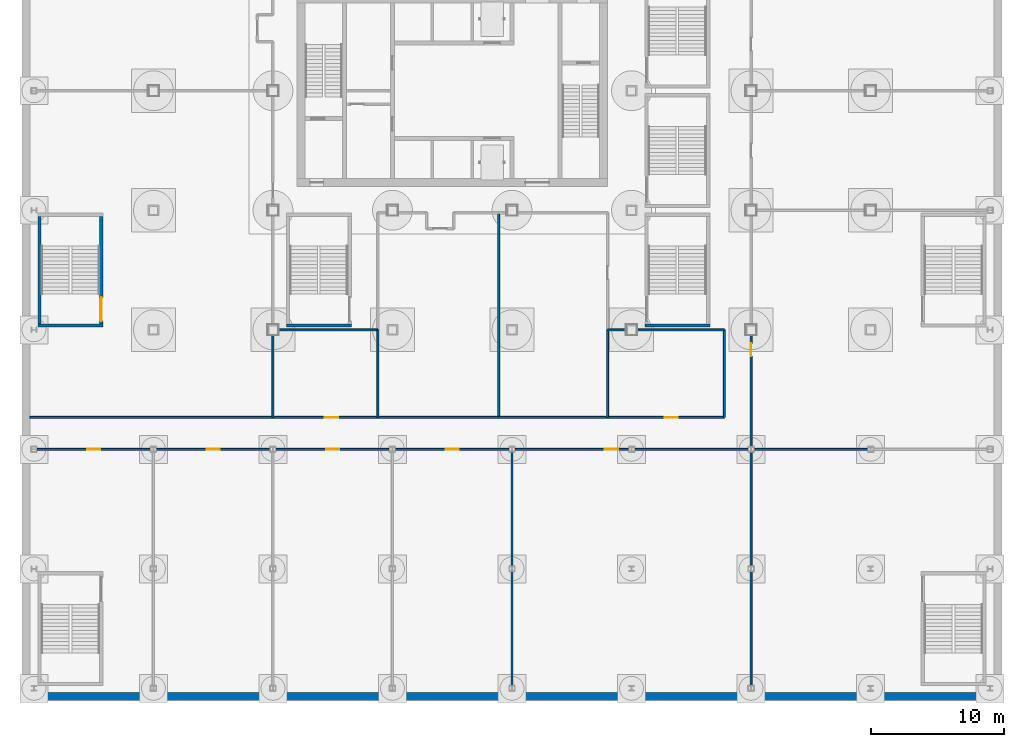
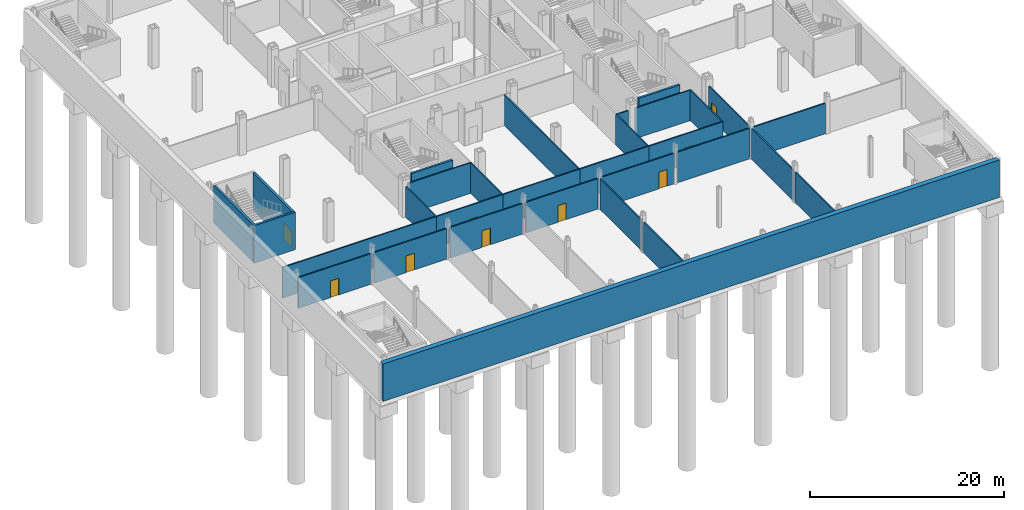
# One storey, part 8 of 28: 31 walls, 9 doors, 9 openings.
"""IFC4 building model written with IfcOpenShell, lengths in metres."""

from ifc_helpers import new_model, si_unit, direction, frame, frame_2d, origin, place, context, subcontext, project, spatial, rectangle, extrude, material, layer, layer_set, type_object, element, fill, save


model = new_model("IFC4")

# Units and contexts
model_context = context("Model", 3, precision=1e-05, world=origin(), true_north=direction((0.0, 1.0)))
body_context = subcontext(model_context, "Body", "Model", "MODEL_VIEW")
ifc_project = project(units=[si_unit("LENGTHUNIT", "METRE"), si_unit("AREAUNIT", "SQUARE_METRE"), si_unit("VOLUMEUNIT", "CUBIC_METRE"), si_unit("PLANEANGLEUNIT", "RADIAN"), si_unit("MASSUNIT", "GRAM", prefix="KILO")], contexts=[model_context])

# Site, building, storey
site_placement = place(None, origin())
site = spatial("IfcSite", under=ifc_project, at=site_placement, CompositionType="ELEMENT")
building_placement = place(site_placement, origin())
building = spatial("IfcBuilding", under=site, at=building_placement, Name="Loomwork Tower", CompositionType="ELEMENT")
storey_placement = place(building_placement, frame((0.0, 0.0, -10.5)))
storey = spatial("IfcBuildingStorey", under=building, at=storey_placement, Name="B2", CompositionType="ELEMENT", Elevation=-10.5)

# Wall
ifc_material_1 = material(Name="Concrete 6000 psi (41 MPa)", Category="concrete")
ifc_layer_1 = layer(ifc_material_1, 0.60009765625)
ifc_layer_set_1 = layer_set([ifc_layer_1], Name="Basement retaining wall 600")
wall_type_1 = type_object("IfcWallType", Name="Basement retaining wall 600", PredefinedType="SOLIDWALL", material=ifc_layer_set_1)
wall_1_placement = place(storey_placement, frame((-9.60009765625, -27.60009765625, 0.0), z_axis=(0.0, 0.0, 1.0), x_axis=(1.0, 0.0, 0.0)))
element("IfcWall", 1, at=wall_1_placement, inside=storey, type_object=wall_type_1, Name="Basement retaining wall S", PredefinedType="SOLIDWALL", context=body_context, shape_type="SweptSolid", body=[
    extrude(rectangle(XDim=73.2001953125, YDim=0.60009765625, at=frame_2d((36.60009765625, 0.0))), origin(), (0.0, 0.0, 1.0), 4.699951171875),
])

# Wall, opening, door
ifc_material_2 = material(Name="Gypsum board on steel studs, one-hour", Category="steel")
ifc_layer_2 = layer(ifc_material_2, 0.14990234375)
ifc_layer_set_2 = layer_set([ifc_layer_2], Name="Partition 150")
wall_type_2 = type_object("IfcWallType", Name="Partition 150", PredefinedType="PARTITIONING", material=ifc_layer_set_2)
wall_2_placement = place(storey_placement, frame((-8.800537109375, -9.0, 0.0), z_axis=(0.0, 0.0, 1.0), x_axis=(1.0, 0.0, 0.0)))
wall_2 = element("IfcWall", 2, at=wall_2_placement, inside=storey, type_object=wall_type_2, Name="Partition B2 1.1", PredefinedType="PARTITIONING", context=body_context, shape_type="SweptSolid", body=[
    extrude(rectangle(XDim=8.599853515625, YDim=0.14990234375, at=frame_2d((4.2998046875, 0.0))), origin(), (0.0, 0.0, 1.0), 3.841552734375),
])
opening_1_placement = place(wall_2_placement, frame((3.800537109375, 0.0, 0.0)))
opening_1 = element("IfcOpeningElement", 3, at=opening_1_placement, cuts=wall_2, Name="Opening D15", PredefinedType="OPENING", context=body_context, shape_type="SweptSolid", body=[
    extrude(rectangle(XDim=1.0, YDim=2.10009765625, at=frame_2d((0.5, 1.050048828125))), frame((0.0, 0.0849609375, 0.0), z_axis=(0.0, -1.0, 0.0), x_axis=(1.0, 0.0, 0.0)), (0.0, 0.0, 1.0), 0.169921875),
])
ifc_material_3 = material(Name="Hollow metal door and frame")
door_type_1 = type_object("IfcDoorType", Name="Fire-rated room door 1000", OperationType="SINGLE_SWING_LEFT", PredefinedType="DOOR", material=ifc_material_3)
door_1_placement = place(opening_1_placement, frame((1.0, 0.0, 0.0), z_axis=(0.0, 0.0, 1.0), x_axis=(-1.0, 0.0, 0.0)))
door_1 = element("IfcDoor", 4, at=door_1_placement, inside=storey, type_object=door_type_1, Name="Central plant room door", OperationType="SINGLE_SWING_LEFT", OverallHeight=2.10009765625, OverallWidth=1.0, PredefinedType="DOOR", context=body_context, shape_type="SweptSolid", body=[
    extrude(rectangle(XDim=1.0, YDim=2.10009765625, at=frame_2d((0.5, 1.050048828125))), frame((0.0, 0.02490234375, 0.0), z_axis=(0.0, -1.0, 0.0), x_axis=(1.0, 0.0, 0.0)), (0.0, 0.0, 1.0), 0.050048828125),
])
fill(opening_1, door_1)

# Wall
wall_3_placement = place(storey_placement, frame((9.0, -6.60009765625, 0.0), z_axis=(0.0, 0.0, 1.0), x_axis=(-1.0, 0.0, 0.0)))
element("IfcWall", 5, at=wall_3_placement, inside=storey, type_object=wall_type_2, Name="Partition B2 2.1", PredefinedType="PARTITIONING", context=body_context, shape_type="SweptSolid", body=[
    extrude(rectangle(XDim=18.300048828125, YDim=0.14990234375, at=frame_2d((9.14990234375, 0.0))), origin(), (0.0, 0.0, 1.0), 3.841064453125),
])

# Wall, opening, door
wall_4_placement = place(storey_placement, frame((0.20068359375, -9.0, 0.0), z_axis=(0.0, 0.0, 1.0), x_axis=(1.0, 0.0, 0.0)))
wall_4 = element("IfcWall", 6, at=wall_4_placement, inside=storey, type_object=wall_type_2, Name="Partition B2 5.1", PredefinedType="PARTITIONING", context=body_context, shape_type="SweptSolid", body=[
    extrude(rectangle(XDim=8.5986328125, YDim=0.14990234375, at=frame_2d((4.29931640625, 0.0))), origin(), (0.0, 0.0, 1.0), 3.841552734375),
])
opening_2_placement = place(wall_4_placement, frame((3.79931640625, 0.0, 0.0)))
opening_2 = element("IfcOpeningElement", 7, at=opening_2_placement, cuts=wall_4, Name="Opening D7", PredefinedType="OPENING", context=body_context, shape_type="SweptSolid", body=[
    extrude(rectangle(XDim=1.0, YDim=2.10009765625, at=frame_2d((0.5, 1.050048828125))), frame((0.0, 0.0849609375, 0.0), z_axis=(0.0, -1.0, 0.0), x_axis=(1.0, 0.0, 0.0)), (0.0, 0.0, 1.0), 0.169921875),
])
ifc_material_4 = material(Name="Hollow metal door and frame")
door_type_2 = type_object("IfcDoorType", Name="Room door 1000", OperationType="SINGLE_SWING_LEFT", PredefinedType="DOOR", material=ifc_material_4)
door_2_placement = place(opening_2_placement, frame((1.0, 0.0, 0.0), z_axis=(0.0, 0.0, 1.0), x_axis=(-1.0, 0.0, 0.0)))
door_2 = element("IfcDoor", 8, at=door_2_placement, inside=storey, type_object=door_type_2, Name="Engineering workshop door", OperationType="SINGLE_SWING_LEFT", OverallHeight=2.10009765625, OverallWidth=1.0, PredefinedType="DOOR", context=body_context, shape_type="SweptSolid", body=[
    extrude(rectangle(XDim=1.0, YDim=2.10009765625, at=frame_2d((0.5, 1.050048828125))), frame((0.0, 0.02490234375, 0.0), z_axis=(0.0, -1.0, 0.0), x_axis=(1.0, 0.0, 0.0)), (0.0, 0.0, 1.0), 0.050048828125),
])
fill(opening_2, door_2)

wall_5_placement = place(storey_placement, frame((9.20068359375, -9.0, 0.0), z_axis=(0.0, 0.0, 1.0), x_axis=(1.0, 0.0, 0.0)))
wall_5 = element("IfcWall", 9, at=wall_5_placement, inside=storey, type_object=wall_type_2, Name="Partition B2 7.1", PredefinedType="PARTITIONING", context=body_context, shape_type="SweptSolid", body=[
    extrude(rectangle(XDim=8.5986328125, YDim=0.14990234375, at=frame_2d((4.29931640625, 0.0))), origin(), (0.0, 0.0, 1.0), 3.841552734375),
])
opening_3_placement = place(wall_5_placement, frame((3.79931640625, 0.0, 0.0)))
opening_3 = element("IfcOpeningElement", 10, at=opening_3_placement, cuts=wall_5, Name="Opening D7", PredefinedType="OPENING", context=body_context, shape_type="SweptSolid", body=[
    extrude(rectangle(XDim=1.0, YDim=2.10009765625, at=frame_2d((0.5, 1.050048828125))), frame((0.0, 0.0849609375, 0.0), z_axis=(0.0, -1.0, 0.0), x_axis=(1.0, 0.0, 0.0)), (0.0, 0.0, 1.0), 0.169921875),
])
door_3_placement = place(opening_3_placement, frame((1.0, 0.0, 0.0), z_axis=(0.0, 0.0, 1.0), x_axis=(-1.0, 0.0, 0.0)))
door_3 = element("IfcDoor", 11, at=door_3_placement, inside=storey, type_object=door_type_2, Name="Engineering control room door", OperationType="SINGLE_SWING_LEFT", OverallHeight=2.10009765625, OverallWidth=1.0, PredefinedType="DOOR", context=body_context, shape_type="SweptSolid", body=[
    extrude(rectangle(XDim=1.0, YDim=2.10009765625, at=frame_2d((0.5, 1.050048828125))), frame((0.0, 0.02490234375, 0.0), z_axis=(0.0, -1.0, 0.0), x_axis=(1.0, 0.0, 0.0)), (0.0, 0.0, 1.0), 0.050048828125),
])
fill(opening_3, door_3)

wall_6_placement = place(storey_placement, frame((16.89990234375, -6.60009765625, 0.0), z_axis=(0.0, 0.0, 1.0), x_axis=(-1.0, 0.0, 0.0)))
wall_6 = element("IfcWall", 12, at=wall_6_placement, inside=storey, type_object=wall_type_2, Name="Partition B2 8.1", PredefinedType="PARTITIONING", context=body_context, shape_type="SweptSolid", body=[
    extrude(rectangle(XDim=7.89990234375, YDim=0.14990234375, at=frame_2d((3.949951171875, 0.0))), origin(), (0.0, 0.0, 1.0), 3.841064453125),
])
opening_4_placement = place(wall_6_placement, frame((3.0, 0.0, 0.0)))
opening_4 = element("IfcOpeningElement", 13, at=opening_4_placement, cuts=wall_6, Name="Opening D7", PredefinedType="OPENING", context=body_context, shape_type="SweptSolid", body=[
    extrude(rectangle(XDim=1.0, YDim=2.10009765625, at=frame_2d((0.5, 1.050048828125))), frame((0.0, 0.0849609375, 0.0), z_axis=(0.0, -1.0, 0.0), x_axis=(1.0, 0.0, 0.0)), (0.0, 0.0, 1.0), 0.169921875),
])
door_4_placement = place(opening_4_placement, frame((1.0, 0.0, 0.0), z_axis=(0.0, 0.0, 1.0), x_axis=(-1.0, 0.0, 0.0)))
door_4 = element("IfcDoor", 14, at=door_4_placement, inside=storey, type_object=door_type_2, Name="Carpentry shop door", OperationType="SINGLE_SWING_RIGHT", OverallHeight=2.10009765625, OverallWidth=1.0, PredefinedType="DOOR", context=body_context, shape_type="SweptSolid", body=[
    extrude(rectangle(XDim=1.0, YDim=2.10009765625, at=frame_2d((0.5, 1.050048828125))), frame((0.0, 0.02490234375, 0.0), z_axis=(0.0, -1.0, 0.0), x_axis=(1.0, 0.0, 0.0)), (0.0, 0.0, 1.0), 0.050048828125),
])
fill(opening_4, door_4)

# Walls
wall_7_placement = place(storey_placement, frame((9.0, -0.39990234375, 0.0), z_axis=(0.0, 0.0, 1.0), x_axis=(0.0, -1.0, 0.0)))
element("IfcWall", 15, at=wall_7_placement, inside=storey, type_object=wall_type_2, Name="Partition B2 9.1", PredefinedType="PARTITIONING", context=body_context, shape_type="SweptSolid", body=[
    extrude(rectangle(XDim=6.2001953125, YDim=0.14990234375, at=frame_2d((3.10009765625, 0.0))), origin(), (0.0, 0.0, 1.0), 3.841552734375),
])
wall_8_placement = place(storey_placement, frame((9.39990234375, 0.0, 0.0), z_axis=(0.0, 0.0, 1.0), x_axis=(1.0, 0.0, 0.0)))
element("IfcWall", 16, at=wall_8_placement, inside=storey, type_object=wall_type_2, Name="Partition B2 10.1", PredefinedType="PARTITIONING", context=body_context, shape_type="SweptSolid", body=[
    extrude(rectangle(XDim=7.5, YDim=0.14990234375, at=frame_2d((3.75, 0.0))), origin(), (0.0, 0.0, 1.0), 3.841552734375),
])
wall_9_placement = place(storey_placement, frame((26.0, -6.60009765625, 0.0), z_axis=(0.0, 0.0, 1.0), x_axis=(-1.0, 0.0, 0.0)))
element("IfcWall", 17, at=wall_9_placement, inside=storey, type_object=wall_type_2, Name="Partition B2 20.1", PredefinedType="PARTITIONING", context=body_context, shape_type="SweptSolid", body=[
    extrude(rectangle(XDim=9.10009765625, YDim=0.14990234375, at=frame_2d((4.550048828125, 0.0))), origin(), (0.0, 0.0, 1.0), 3.841064453125),
])
wall_10_placement = place(storey_placement, frame((16.89990234375, 0.0, 0.0), z_axis=(0.0, 0.0, 1.0), x_axis=(0.0, -1.0, 0.0)))
element("IfcWall", 18, at=wall_10_placement, inside=storey, type_object=wall_type_2, Name="Partition B2 21.1", PredefinedType="PARTITIONING", context=body_context, shape_type="SweptSolid", body=[
    extrude(rectangle(XDim=6.60009765625, YDim=0.14990234375, at=frame_2d((3.300048828125, 0.0))), origin(), (0.0, 0.0, 1.0), 3.841064453125),
])

# Wall, opening, door
wall_11_placement = place(storey_placement, frame((18.20068359375, -9.0, 0.0), z_axis=(0.0, 0.0, 1.0), x_axis=(1.0, 0.0, 0.0)))
wall_11 = element("IfcWall", 19, at=wall_11_placement, inside=storey, type_object=wall_type_2, Name="Partition B2 25.1", PredefinedType="PARTITIONING", context=body_context, shape_type="SweptSolid", body=[
    extrude(rectangle(XDim=8.5986328125, YDim=0.14990234375, at=frame_2d((4.29931640625, 0.0))), origin(), (0.0, 0.0, 1.0), 3.841552734375),
])
opening_5_placement = place(wall_11_placement, frame((3.79931640625, 0.0, 0.0)))
opening_5 = element("IfcOpeningElement", 20, at=opening_5_placement, cuts=wall_11, Name="Opening D15", PredefinedType="OPENING", context=body_context, shape_type="SweptSolid", body=[
    extrude(rectangle(XDim=1.0, YDim=2.10009765625, at=frame_2d((0.5, 1.050048828125))), frame((0.0, 0.0849609375, 0.0), z_axis=(0.0, -1.0, 0.0), x_axis=(1.0, 0.0, 0.0)), (0.0, 0.0, 1.0), 0.169921875),
])
door_5_placement = place(opening_5_placement, frame((1.0, 0.0, 0.0), z_axis=(0.0, 0.0, 1.0), x_axis=(-1.0, 0.0, 0.0)))
door_5 = element("IfcDoor", 21, at=door_5_placement, inside=storey, type_object=door_type_1, Name="Chiller plant room door", OperationType="SINGLE_SWING_LEFT", OverallHeight=2.10009765625, OverallWidth=1.0, PredefinedType="DOOR", context=body_context, shape_type="SweptSolid", body=[
    extrude(rectangle(XDim=1.0, YDim=2.10009765625, at=frame_2d((0.5, 1.050048828125))), frame((0.0, 0.02490234375, 0.0), z_axis=(0.0, -1.0, 0.0), x_axis=(1.0, 0.0, 0.0)), (0.0, 0.0, 1.0), 0.050048828125),
])
fill(opening_5, door_5)

# Walls
wall_12_placement = place(storey_placement, frame((34.199951171875, -6.60009765625, 0.0), z_axis=(0.0, 0.0, 1.0), x_axis=(-1.0, 0.0, 0.0)))
element("IfcWall", 22, at=wall_12_placement, inside=storey, type_object=wall_type_2, Name="Partition B2 29.1", PredefinedType="PARTITIONING", context=body_context, shape_type="SweptSolid", body=[
    extrude(rectangle(XDim=8.199951171875, YDim=0.14990234375, at=frame_2d((4.10009765625, 0.0))), origin(), (0.0, 0.0, 1.0), 3.841064453125),
])
wall_13_placement = place(storey_placement, frame((26.0, 8.800048828125, 0.0), z_axis=(0.0, 0.0, 1.0), x_axis=(0.0, -1.0, 0.0)))
element("IfcWall", 23, at=wall_13_placement, inside=storey, type_object=wall_type_2, Name="Partition B2 30.1", PredefinedType="PARTITIONING", context=body_context, shape_type="SweptSolid", body=[
    extrude(rectangle(XDim=15.400146484375, YDim=0.14990234375, at=frame_2d((7.7001953125, 0.0))), origin(), (0.0, 0.0, 1.0), 3.841064453125),
])
for number, where, z_axis, x_axis, name in (
    (24, (27.0, -9.199462890625, 0.0), (0.0, 0.0, 1.0), (0.0, -1.0, 0.0), "Partition B2 32.1"),
    (25, (27.0, -18.199462890625, 0.0), (0.0, 0.0, 1.0), (0.0, -1.0, 0.0), "Partition B2 32.2"),
):
    element("IfcWall", number, at=place(storey_placement, frame(where, z_axis=z_axis, x_axis=x_axis)), inside=storey, type_object=wall_type_2, Name=name, PredefinedType="PARTITIONING", context=body_context, shape_type="SweptSolid", body=[
        extrude(rectangle(XDim=8.60107421875, YDim=0.14990234375, at=frame_2d((4.300537109375, 0.0))), origin(), (0.0, 0.0, 1.0), 3.841552734375),
    ])

# Wall, opening, door
wall_14_placement = place(storey_placement, frame((27.20068359375, -9.0, 0.0), z_axis=(0.0, 0.0, 1.0), x_axis=(1.0, 0.0, 0.0)))
wall_14 = element("IfcWall", 26, at=wall_14_placement, inside=storey, type_object=wall_type_2, Name="Partition B2 33.1", PredefinedType="PARTITIONING", context=body_context, shape_type="SweptSolid", body=[
    extrude(rectangle(XDim=8.5986328125, YDim=0.14990234375, at=frame_2d((4.29931640625, 0.0))), origin(), (0.0, 0.0, 1.0), 3.841552734375),
])
opening_6_placement = place(wall_14_placement, frame((6.79931640625, 0.0, 0.0)))
opening_6 = element("IfcOpeningElement", 27, at=opening_6_placement, cuts=wall_14, Name="Opening D7", PredefinedType="OPENING", context=body_context, shape_type="SweptSolid", body=[
    extrude(rectangle(XDim=1.0, YDim=2.10009765625, at=frame_2d((0.5, 1.050048828125))), frame((0.0, 0.0849609375, 0.0), z_axis=(0.0, -1.0, 0.0), x_axis=(1.0, 0.0, 0.0)), (0.0, 0.0, 1.0), 0.169921875),
])
door_6_placement = place(opening_6_placement, frame((1.0, 0.0, 0.0), z_axis=(0.0, 0.0, 1.0), x_axis=(-1.0, 0.0, 0.0)))
door_6 = element("IfcDoor", 28, at=door_6_placement, inside=storey, type_object=door_type_2, Name="Engineering office door", OperationType="SINGLE_SWING_RIGHT", OverallHeight=2.10009765625, OverallWidth=1.0, PredefinedType="DOOR", context=body_context, shape_type="SweptSolid", body=[
    extrude(rectangle(XDim=1.0, YDim=2.10009765625, at=frame_2d((0.5, 1.050048828125))), frame((0.0, 0.02490234375, 0.0), z_axis=(0.0, -1.0, 0.0), x_axis=(1.0, 0.0, 0.0)), (0.0, 0.0, 1.0), 0.050048828125),
])
fill(opening_6, door_6)

# Wall
wall_15_placement = place(storey_placement, frame((36.20068359375, -9.0, 0.0), z_axis=(0.0, 0.0, 1.0), x_axis=(1.0, 0.0, 0.0)))
element("IfcWall", 29, at=wall_15_placement, inside=storey, type_object=wall_type_2, Name="Partition B2 33.2", PredefinedType="PARTITIONING", context=body_context, shape_type="SweptSolid", body=[
    extrude(rectangle(XDim=8.5986328125, YDim=0.14990234375, at=frame_2d((4.29931640625, 0.0))), origin(), (0.0, 0.0, 1.0), 3.841552734375),
])

# Wall, opening, door
wall_16_placement = place(storey_placement, frame((43.0, -6.60009765625, 0.0), z_axis=(0.0, 0.0, 1.0), x_axis=(-1.0, 0.0, 0.0)))
wall_16 = element("IfcWall", 30, at=wall_16_placement, inside=storey, type_object=wall_type_2, Name="Partition B2 37.1", PredefinedType="PARTITIONING", context=body_context, shape_type="SweptSolid", body=[
    extrude(rectangle(XDim=8.800048828125, YDim=0.14990234375, at=frame_2d((4.39990234375, 0.0))), origin(), (0.0, 0.0, 1.0), 3.841064453125),
])
opening_7_placement = place(wall_16_placement, frame((3.5, 0.0, 0.0)))
opening_7 = element("IfcOpeningElement", 31, at=opening_7_placement, cuts=wall_16, Name="Opening D7", PredefinedType="OPENING", context=body_context, shape_type="SweptSolid", body=[
    extrude(rectangle(XDim=1.0, YDim=2.10009765625, at=frame_2d((0.5, 1.050048828125))), frame((0.0, 0.0849609375, 0.0), z_axis=(0.0, -1.0, 0.0), x_axis=(1.0, 0.0, 0.0)), (0.0, 0.0, 1.0), 0.169921875),
])
door_7_placement = place(opening_7_placement, frame((1.0, 0.0, 0.0), z_axis=(0.0, 0.0, 1.0), x_axis=(-1.0, 0.0, 0.0)))
door_7 = element("IfcDoor", 32, at=door_7_placement, inside=storey, type_object=door_type_2, Name="Housekeeping office door", OperationType="SINGLE_SWING_RIGHT", OverallHeight=2.10009765625, OverallWidth=1.0, PredefinedType="DOOR", context=body_context, shape_type="SweptSolid", body=[
    extrude(rectangle(XDim=1.0, YDim=2.10009765625, at=frame_2d((0.5, 1.050048828125))), frame((0.0, 0.02490234375, 0.0), z_axis=(0.0, -1.0, 0.0), x_axis=(1.0, 0.0, 0.0)), (0.0, 0.0, 1.0), 0.050048828125),
])
fill(opening_7, door_7)

# Walls
wall_17_placement = place(storey_placement, frame((34.199951171875, 0.0, 0.0), z_axis=(0.0, 0.0, 1.0), x_axis=(0.0, -1.0, 0.0)))
element("IfcWall", 33, at=wall_17_placement, inside=storey, type_object=wall_type_2, Name="Partition B2 38.1", PredefinedType="PARTITIONING", context=body_context, shape_type="SweptSolid", body=[
    extrude(rectangle(XDim=6.60009765625, YDim=0.14990234375, at=frame_2d((3.300048828125, 0.0))), origin(), (0.0, 0.0, 1.0), 3.841064453125),
])
wall_18_placement = place(storey_placement, frame((34.199951171875, 0.0, 0.0), z_axis=(0.0, 0.0, 1.0), x_axis=(1.0, 0.0, 0.0)))
element("IfcWall", 34, at=wall_18_placement, inside=storey, type_object=wall_type_2, Name="Partition B2 40.1", PredefinedType="PARTITIONING", context=body_context, shape_type="SweptSolid", body=[
    extrude(rectangle(XDim=1.400146484375, YDim=0.14990234375, at=frame_2d((0.7001953125, 0.0))), origin(), (0.0, 0.0, 1.0), 3.841552734375),
])
wall_19_placement = place(storey_placement, frame((36.39990234375, 0.0, 0.0), z_axis=(0.0, 0.0, 1.0), x_axis=(1.0, 0.0, 0.0)))
element("IfcWall", 35, at=wall_19_placement, inside=storey, type_object=wall_type_2, Name="Partition B2 40.2", PredefinedType="PARTITIONING", context=body_context, shape_type="SweptSolid", body=[
    extrude(rectangle(XDim=6.60009765625, YDim=0.14990234375, at=frame_2d((3.300048828125, 0.0))), origin(), (0.0, 0.0, 1.0), 3.841552734375),
])
wall_20_placement = place(storey_placement, frame((43.0, 0.0, 0.0), z_axis=(0.0, 0.0, 1.0), x_axis=(0.0, -1.0, 0.0)))
element("IfcWall", 36, at=wall_20_placement, inside=storey, type_object=wall_type_2, Name="Partition B2 43.1", PredefinedType="PARTITIONING", context=body_context, shape_type="SweptSolid", body=[
    extrude(rectangle(XDim=6.60009765625, YDim=0.14990234375, at=frame_2d((3.300048828125, 0.0))), origin(), (0.0, 0.0, 1.0), 3.841064453125),
])
wall_21_placement = place(storey_placement, frame((45.0, -9.199462890625, 0.0), z_axis=(0.0, 0.0, 1.0), x_axis=(0.0, -1.0, 0.0)))
element("IfcWall", 37, at=wall_21_placement, inside=storey, type_object=wall_type_2, Name="Partition B2 44.1", PredefinedType="PARTITIONING", context=body_context, shape_type="SweptSolid", body=[
    extrude(rectangle(XDim=8.60107421875, YDim=0.14990234375, at=frame_2d((4.300537109375, 0.0))), origin(), (0.0, 0.0, 1.0), 3.841552734375),
])
wall_22_placement = place(storey_placement, frame((45.0, -18.199462890625, 0.0), z_axis=(0.0, 0.0, 1.0), x_axis=(0.0, -1.0, 0.0)))
element("IfcWall", 38, at=wall_22_placement, inside=storey, type_object=wall_type_2, Name="Partition B2 44.2", PredefinedType="PARTITIONING", context=body_context, shape_type="SweptSolid", body=[
    extrude(rectangle(XDim=8.58837890625, YDim=0.14990234375, at=frame_2d((4.294189453125, 0.0))), origin(), (0.0, 0.0, 1.0), 3.841552734375),
])
wall_23_placement = place(storey_placement, frame((45.20068359375, -9.0, 0.0), z_axis=(0.0, 0.0, 1.0), x_axis=(1.0, 0.0, 0.0)))
element("IfcWall", 39, at=wall_23_placement, inside=storey, type_object=wall_type_2, Name="Partition B2 45.1", PredefinedType="PARTITIONING", context=body_context, shape_type="SweptSolid", body=[
    extrude(rectangle(XDim=8.5986328125, YDim=0.14990234375, at=frame_2d((4.29931640625, 0.0))), origin(), (0.0, 0.0, 1.0), 3.841552734375),
])

# Wall, opening, door
wall_24_placement = place(storey_placement, frame((45.0, -8.800537109375, 0.0), z_axis=(0.0, 0.0, 1.0), x_axis=(0.0, 1.0, 0.0)))
wall_24 = element("IfcWall", 40, at=wall_24_placement, inside=storey, type_object=wall_type_2, Name="Partition B2 46.1", PredefinedType="PARTITIONING", context=body_context, shape_type="SweptSolid", body=[
    extrude(rectangle(XDim=8.400634765625, YDim=0.14990234375, at=frame_2d((4.2001953125, 0.0))), origin(), (0.0, 0.0, 1.0), 3.841552734375),
])
opening_8_placement = place(wall_24_placement, frame((6.800537109375, 0.0, 0.0)))
opening_8 = element("IfcOpeningElement", 41, at=opening_8_placement, cuts=wall_24, Name="Opening D7", PredefinedType="OPENING", context=body_context, shape_type="SweptSolid", body=[
    extrude(rectangle(XDim=1.0, YDim=2.10009765625, at=frame_2d((0.5, 1.050048828125))), frame((0.0, 0.0849609375, 0.0), z_axis=(0.0, -1.0, 0.0), x_axis=(1.0, 0.0, 0.0)), (0.0, 0.0, 1.0), 0.169921875),
])
door_8_placement = place(opening_8_placement, frame((1.0, 0.0, 0.0), z_axis=(0.0, 0.0, 1.0), x_axis=(-1.0, 0.0, 0.0)))
door_8 = element("IfcDoor", 42, at=door_8_placement, inside=storey, type_object=door_type_2, Name="Purchasing and receiving office door", OperationType="SINGLE_SWING_LEFT", OverallHeight=2.10009765625, OverallWidth=1.0, PredefinedType="DOOR", context=body_context, shape_type="SweptSolid", body=[
    extrude(rectangle(XDim=1.0, YDim=2.10009765625, at=frame_2d((0.5, 1.050048828125))), frame((0.0, 0.02490234375, 0.0), z_axis=(0.0, -1.0, 0.0), x_axis=(1.0, 0.0, 0.0)), (0.0, 0.0, 1.0), 0.050048828125),
])
fill(opening_8, door_8)

# Walls
ifc_material_5 = material(Name="Concrete masonry, two-hour", Category="masonry")
ifc_layer_3 = layer(ifc_material_5, 0.25)
ifc_layer_set_3 = layer_set([ifc_layer_3], Name="Stair enclosure wall 250")
wall_type_3 = type_object("IfcWallType", Name="Stair enclosure wall 250", PredefinedType="SOLIDWALL", material=ifc_layer_set_3)
wall_25_placement = place(storey_placement, frame((-8.699951171875, 0.324951171875, 0.0), z_axis=(0.0, 0.0, 1.0), x_axis=(1.0, 0.0, 0.0)))
element("IfcWall", 43, at=wall_25_placement, inside=storey, type_object=wall_type_3, Name="Stair PS5 enclosure wall S B2", PredefinedType="SOLIDWALL", context=body_context, shape_type="SweptSolid", body=[
    extrude(rectangle(XDim=4.89990234375, YDim=0.25, at=frame_2d((2.449951171875, 0.0))), origin(), (0.0, 0.0, 1.0), 4.699951171875),
])
wall_26_placement = place(storey_placement, frame((-8.574951171875, 0.449951171875, 0.0), z_axis=(0.0, 0.0, 1.0), x_axis=(0.0, 1.0, 0.0)))
element("IfcWall", 44, at=wall_26_placement, inside=storey, type_object=wall_type_3, Name="Stair PS5 enclosure wall W B2", PredefinedType="SOLIDWALL", context=body_context, shape_type="SweptSolid", body=[
    extrude(rectangle(XDim=8.10009765625, YDim=0.25, at=frame_2d((4.050048828125, 0.0))), origin(), (0.0, 0.0, 1.0), 4.699951171875),
])

# Wall, opening, door
wall_27_placement = place(storey_placement, frame((-3.925048828125, 0.449951171875, 0.0), z_axis=(0.0, 0.0, 1.0), x_axis=(0.0, 1.0, 0.0)))
wall_27 = element("IfcWall", 45, at=wall_27_placement, inside=storey, type_object=wall_type_3, Name="Stair PS5 enclosure wall E B2", PredefinedType="SOLIDWALL", context=body_context, shape_type="SweptSolid", body=[
    extrude(rectangle(XDim=8.10009765625, YDim=0.25, at=frame_2d((4.050048828125, 0.0))), origin(), (0.0, 0.0, 1.0), 4.699951171875),
])
opening_9_placement = place(wall_27_placement, frame((0.199951171875, 0.0, 0.0)))
opening_9 = element("IfcOpeningElement", 46, at=opening_9_placement, cuts=wall_27, Name="Opening D14", PredefinedType="OPENING", context=body_context, shape_type="SweptSolid", body=[
    extrude(rectangle(XDim=1.800048828125, YDim=2.10009765625, at=frame_2d((0.89990234375, 1.050048828125))), frame((0.0, 0.135009765625, 0.0), z_axis=(0.0, -1.0, 0.0), x_axis=(1.0, 0.0, 0.0)), (0.0, 0.0, 1.0), 0.27001953125),
])
ifc_material_6 = material(Name="Hollow metal door and frame")
door_type_3 = type_object("IfcDoorType", Name="Stair double door 1800", OperationType="DOUBLE_DOOR_SINGLE_SWING", PredefinedType="DOOR", material=ifc_material_6)
door_9_placement = place(opening_9_placement, origin())
door_9 = element("IfcDoor", 47, at=door_9_placement, inside=storey, type_object=door_type_3, Name="Stair PS5 door B2", OperationType="DOUBLE_DOOR_SINGLE_SWING", OverallHeight=2.10009765625, OverallWidth=1.800048828125, PredefinedType="DOOR", context=body_context, shape_type="SweptSolid", body=[
    extrude(rectangle(XDim=1.800048828125, YDim=2.10009765625, at=frame_2d((0.89990234375, 1.050048828125))), frame((0.0, 0.02490234375, 0.0), z_axis=(0.0, -1.0, 0.0), x_axis=(1.0, 0.0, 0.0)), (0.0, 0.0, 1.0), 0.050048828125),
])
fill(opening_9, door_9)

# Walls
for number, where, z_axis, x_axis, name in (
    (48, (37.0, 0.324951171875, 0.0), (0.0, 0.0, 1.0), (1.0, 0.0, 0.0), "Stair PS7 enclosure wall S B2"),
    (49, (10.0, 0.324951171875, 0.0), (0.0, 0.0, 1.0), (1.0, 0.0, 0.0), "Stair PS12 enclosure wall S B2"),
):
    element("IfcWall", number, at=place(storey_placement, frame(where, z_axis=z_axis, x_axis=x_axis)), inside=storey, type_object=wall_type_3, Name=name, PredefinedType="SOLIDWALL", context=body_context, shape_type="SweptSolid", body=[
        extrude(rectangle(XDim=4.89990234375, YDim=0.25, at=frame_2d((2.449951171875, 0.0))), origin(), (0.0, 0.0, 1.0), 4.699951171875),
    ])

save(model, "model.ifc")
